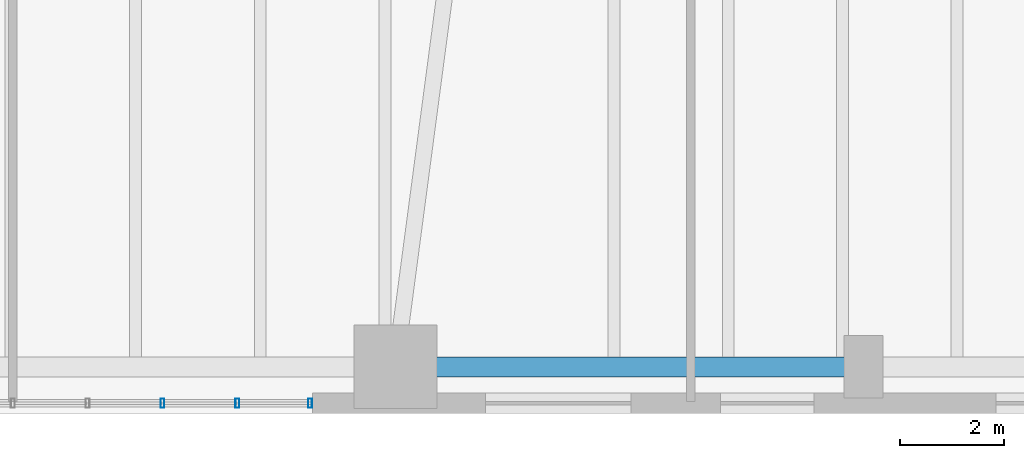
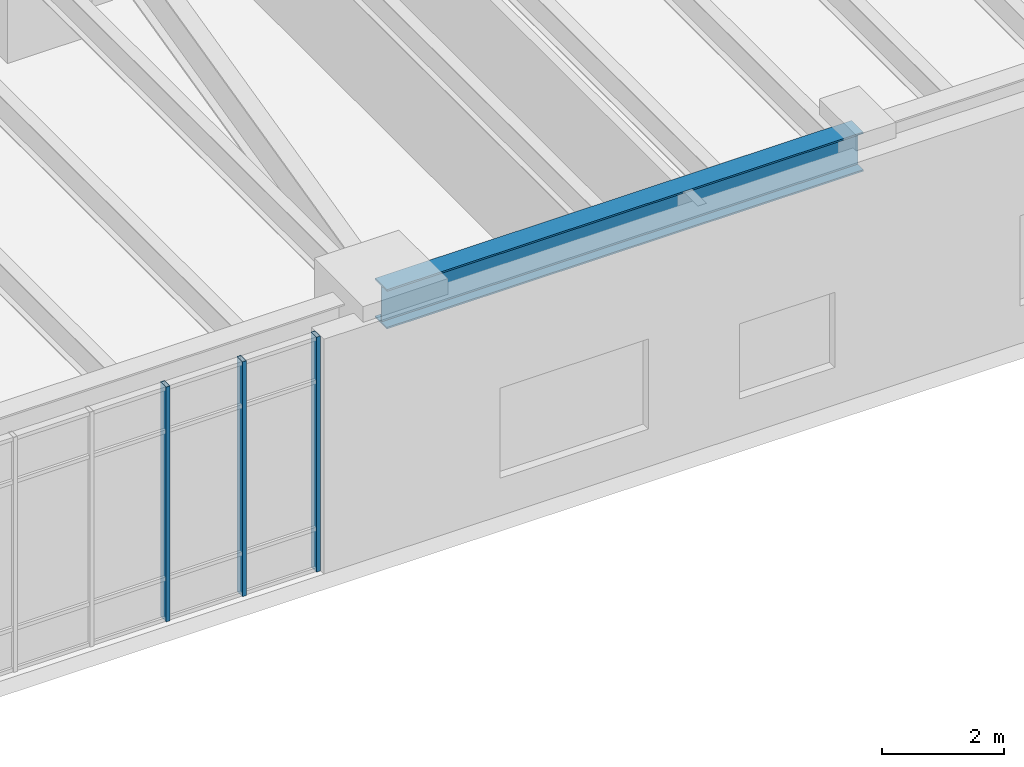
# One storey, part 8 of 26: 3 members, 1 beam, 1 element without a shape of its own.
"""IFC4 building model written with IfcOpenShell, lengths in metres."""

import ifcopenshell
import ifcopenshell.guid

model = None  # the IFC model being written
_history = None  # IfcOwnerHistory: only IFC2X3 demands one
_inside = {}  # id of a spatial element -> (the spatial element, [elements in it])
_under = {}  # id of a project, library or spatial element -> (it, [spatial elements below it])
_declared = {}  # id of a project -> (the project, [libraries it declares])
_typed = {}  # id of a type object -> (the type object, [elements of that type])
_made_of = {}  # id of a material, layer set ... -> (it, [elements and type objects made of it])


def new_model(schema):
    """Start an empty IFC model of exactly this schema.

    Asked for "IFC4X3", IfcOpenShell would pick the latest addendum, in which some entities
    have other attributes; the version numbers below select the first issue.
    IFC2X3 requires an IfcOwnerHistory on every rooted entity: one is made here for all.
    """
    global model, _history
    if schema == "IFC4X3":
        model = ifcopenshell.file(schema_version=(4, 3, 0, 0))
    else:
        model = ifcopenshell.file(schema=schema)
    _inside.clear()
    _under.clear()
    _declared.clear()
    _typed.clear()
    _made_of.clear()
    _history = None
    if model.schema == "IFC2X3":
        org = make("IfcOrganization", Name="unknown")
        user = make(
            "IfcPersonAndOrganization",
            ThePerson=make("IfcPerson", FamilyName="unknown"),
            TheOrganization=org,
        )
        app = make(
            "IfcApplication",
            ApplicationDeveloper=org,
            Version="unknown",
            ApplicationFullName="unknown",
            ApplicationIdentifier="unknown",
        )
        _history = make(
            "IfcOwnerHistory",
            OwningUser=user,
            OwningApplication=app,
            ChangeAction="ADDED",
            CreationDate=0,
        )
    return model


def make(cls, **values):
    """One entity of the class cls with the attributes given. An attribute that is None is left unset."""
    return model.create_entity(
        cls, **{name: value for name, value in values.items() if value is not None}
    )


def rooted(cls, **values):
    """An entity with a GlobalId (a new one), such as an element, a storey or a relation."""
    return make(cls, GlobalId=ifcopenshell.guid.new(), OwnerHistory=_history, **values)


def si_unit(unit_type, name, prefix=None):
    """IfcSIUnit, for example si_unit("LENGTHUNIT", "METRE", prefix="MILLI")."""
    return make("IfcSIUnit", UnitType=unit_type, Prefix=prefix, Name=name)


def assignment(units):
    """IfcUnitAssignment: the units of a project."""
    return None if units is None else make("IfcUnitAssignment", Units=units)


def point(xyz):
    """IfcCartesianPoint."""
    return None if xyz is None else make("IfcCartesianPoint", Coordinates=xyz)


def direction(xyz):
    """IfcDirection."""
    return None if xyz is None else make("IfcDirection", DirectionRatios=xyz)


def frame(location, z_axis=None, x_axis=None):
    """IfcAxis2Placement3D, a coordinate frame: its origin and axes. An axis left out is left unset."""
    return make(
        "IfcAxis2Placement3D",
        Location=point(location),
        Axis=direction(z_axis),
        RefDirection=direction(x_axis),
    )


def frame_2d(location, x_axis=None):
    """IfcAxis2Placement2D, a coordinate frame in the plane: its origin and x axis."""
    return make(
        "IfcAxis2Placement2D", Location=point(location), RefDirection=direction(x_axis)
    )


def origin():
    """The frame at (0, 0, 0) with its axes left unset."""
    return frame((0.0, 0.0, 0.0))


def origin_2d():
    """The frame at (0, 0) in the plane with its x axis left unset."""
    return frame_2d((0.0, 0.0))


def place(relative_to, where):
    """IfcLocalPlacement: puts the frame where relative to a parent placement (None: the world)."""
    return make(
        "IfcLocalPlacement", PlacementRelTo=relative_to, RelativePlacement=where
    )


def context(
    kind, dimensions, precision=None, world=None, true_north=None, identifier=None
):
    """IfcGeometricRepresentationContext, for example the 3D "Model" context."""
    return make(
        "IfcGeometricRepresentationContext",
        ContextIdentifier=identifier,
        ContextType=kind,
        CoordinateSpaceDimension=dimensions,
        Precision=precision,
        WorldCoordinateSystem=world,
        TrueNorth=true_north,
    )


def subcontext(parent, identifier, kind, view, scale=None):
    """IfcGeometricRepresentationSubContext, for example "Body" below "Model"."""
    return make(
        "IfcGeometricRepresentationSubContext",
        ContextIdentifier=identifier,
        ContextType=kind,
        ParentContext=parent,
        TargetScale=scale,
        TargetView=view,
    )


def project(units=None, contexts=None):
    """IfcProject with its units and contexts."""
    return rooted(
        "IfcProject",
        Name="project",
        RepresentationContexts=contexts,
        UnitsInContext=assignment(units),
    )


def spatial(cls, under=None, at=None, **own):
    """A site, building, storey or space (cls), placed at a placement, below another one or the project."""
    s = rooted(cls, ObjectPlacement=at, **own)
    if under is not None:
        _under.setdefault(under.id(), (under, []))[1].append(s)
    return s


def profile(cls, at=None, kind="AREA", **sizes):
    """A parametric profile (cls). Its sizes go by their IFC names, for example OverallWidth=200.0."""
    return make(cls, ProfileType=kind, Position=at, **sizes)


def hollow_rectangle(**sizes):
    """IfcRectangleHollowProfileDef."""
    return profile("IfcRectangleHollowProfileDef", **sizes)


def i_section(**sizes):
    """IfcIShapeProfileDef."""
    return profile("IfcIShapeProfileDef", **sizes)


def extrude(swept, where, along, depth):
    """IfcExtrudedAreaSolid: the profile swept, set in the frame where, extruded along a direction by depth."""
    return make(
        "IfcExtrudedAreaSolid",
        SweptArea=swept,
        Position=where,
        ExtrudedDirection=direction(along),
        Depth=depth,
    )


def shape(context_of_items, identifier, shape_type, items):
    """IfcShapeRepresentation: the items that make up one representation, for example the "Body"."""
    return make(
        "IfcShapeRepresentation",
        ContextOfItems=context_of_items,
        RepresentationIdentifier=identifier,
        RepresentationType=shape_type,
        Items=items,
    )


def material(Name=None, Category=None):
    """IfcMaterial."""
    return make("IfcMaterial", Name=Name, Category=Category)


def layer(
    of_material, thickness, ventilated=None, Name=None, Category=None, Priority=None
):
    """IfcMaterialLayer: one layer of a wall or slab, of a material (None: an air gap)."""
    return make(
        "IfcMaterialLayer",
        Material=of_material,
        LayerThickness=thickness,
        IsVentilated=ventilated,
        Name=Name,
        Category=Category,
        Priority=Priority,
    )


def layer_set(layers, Name=None):
    """IfcMaterialLayerSet."""
    return make("IfcMaterialLayerSet", MaterialLayers=layers, LayerSetName=Name)


def material_profile(
    of_material, cross_section, Name=None, Category=None, Priority=None
):
    """IfcMaterialProfile: a cross section and its material."""
    return make(
        "IfcMaterialProfile",
        Name=Name,
        Material=of_material,
        Profile=cross_section,
        Priority=Priority,
        Category=Category,
    )


def profile_set(profiles, Name=None, composite=None):
    """IfcMaterialProfileSet."""
    return make(
        "IfcMaterialProfileSet",
        Name=Name,
        MaterialProfiles=profiles,
        CompositeProfile=composite,
    )


def made_of(thing, what):
    """Note that an element or type object is made of a material, layer set ...; save() writes the relation."""
    if what is not None:
        _made_of.setdefault(what.id(), (what, []))[1].append(thing)
    return thing


def type_object(cls, material=None, **own):
    """A type object (cls), such as IfcWallType, which elements share."""
    return made_of(rooted(cls, **own), material)


def element(
    cls,
    number,
    at=None,
    inside=None,
    cuts=None,
    type_object=None,
    material=None,
    context=None,
    identifier="Body",
    shape_type=None,
    held_by="IfcProductDefinitionShape",
    body=None,
    shapes=None,
    **own,
):
    """One element of the class cls, such as IfcWall. Its Tag is "e" and its number.

    at: its placement. inside: the storey or other place that contains it. cuts: it is an
    opening in that element (IfcRelVoidsElement). A single representation is given by context,
    identifier, shape_type and body (its items); several are given by shapes. held_by: the class
    of the entity that holds the representations. save() writes the other relations.
    """
    e = rooted(cls, Tag="e%d" % number, ObjectPlacement=at, **own)
    if body is not None:
        shapes = [shape(context, identifier, shape_type, body)]
    if shapes is not None:
        e.Representation = make(held_by, Representations=shapes)
    if inside is not None:
        _inside.setdefault(inside.id(), (inside, []))[1].append(e)
    if cuts is not None:
        rooted(
            "IfcRelVoidsElement", RelatingBuildingElement=cuts, RelatedOpeningElement=e
        )
    if type_object is not None:
        _typed.setdefault(type_object.id(), (type_object, []))[1].append(e)
    return made_of(e, material)


def aggregate(whole, parts):
    """IfcRelAggregates: a whole, such as a stair, and the parts it consists of."""
    return rooted("IfcRelAggregates", RelatingObject=whole, RelatedObjects=parts)


def save(model, path):
    """Write the relations noted so far, then the file.

    IfcRelAggregates (storeys below a building ...), IfcRelContainedInSpatialStructure (elements
    in a storey), IfcRelDefinesByType, IfcRelAssociatesMaterial and IfcRelDeclares: one each for
    every whole, place, type object, material and project.
    """
    for whole, parts in _under.values():
        aggregate(whole, parts)
    for where, things in _inside.values():
        rooted(
            "IfcRelContainedInSpatialStructure",
            RelatedElements=things,
            RelatingStructure=where,
        )
    for kind, things in _typed.values():
        rooted("IfcRelDefinesByType", RelatedObjects=things, RelatingType=kind)
    for what, things in _made_of.values():
        rooted("IfcRelAssociatesMaterial", RelatedObjects=things, RelatingMaterial=what)
    for by, libraries in _declared.values():
        rooted("IfcRelDeclares", RelatingContext=by, RelatedDefinitions=libraries)
    model.write(path)


model = new_model("IFC4")

# Units and contexts
model_context = context("Model", 3, precision=1e-05, world=origin(), true_north=direction((0.0, 1.0)))
body_context = subcontext(model_context, "Body", "Model", "MODEL_VIEW")
ifc_project = project(units=[si_unit("LENGTHUNIT", "METRE"), si_unit("AREAUNIT", "SQUARE_METRE"), si_unit("VOLUMEUNIT", "CUBIC_METRE"), si_unit("PLANEANGLEUNIT", "RADIAN"), si_unit("MASSUNIT", "GRAM", prefix="KILO"), si_unit("THERMODYNAMICTEMPERATUREUNIT", "KELVIN"), si_unit("POWERUNIT", "WATT")], contexts=[model_context])

# Site, building, storey
site_placement = place(None, origin())
site = spatial("IfcSite", under=ifc_project, at=site_placement, CompositionType="ELEMENT")
building_placement = place(site_placement, origin())
building = spatial("IfcBuilding", under=site, at=building_placement, Name="Skarre Station Tower", CompositionType="ELEMENT")
storey_placement = place(building_placement, frame((0.0, 0.0, 6.0)))
storey = spatial("IfcBuildingStorey", under=building, at=storey_placement, Name="L02", CompositionType="ELEMENT", Elevation=6.0)

# Curtain wall, members
ifc_material_1 = material(Name="Thermally Broken Bronze-Anodized Aluminium & Triple Low-E Glass", Category="aluminium")
ifc_layer = layer(ifc_material_1, 0.199951171875, Name="Thermally Broken Bronze-Anodized Aluminium & Triple Low-E Glass")
ifc_layer_set = layer_set([ifc_layer], Name="Thermally Broken Bronze-Anodized Aluminium & Triple Low-E Glass")
curtain_wall_type = type_object("IfcCurtainWallType", Name="Podium Transit Arcade Stick Curtain Wall", PredefinedType="NOTDEFINED", material=ifc_layer_set)
curtain_wall_placement = place(storey_placement, origin())
curtain_wall = element("IfcCurtainWall", 1, at=curtain_wall_placement, inside=storey, type_object=curtain_wall_type, Name="L02 South Concourse Portal East Curtain Wall", PredefinedType="NOTDEFINED")
ifc_material_2 = material(Name="Anodized Aluminium 6063-T6", Category="aluminium")
ifc_material_profile_1 = material_profile(ifc_material_2, hollow_rectangle(XDim=0.074951171875, YDim=0.179931640625, WallThickness=0.00390625, at=origin_2d()), Name="Anodized Aluminium 6063-T6")
ifc_profile_set_1 = profile_set([ifc_material_profile_1], Name="Anodized Aluminium 6063-T6")
member_type = type_object("IfcMemberType", Name="Curtain-Wall Unitised Tower Mullion 180x75", PredefinedType="MULLION", material=ifc_profile_set_1)
member_1_placement = place(storey_placement, frame((52.360107421875, 0.199951171875, 0.0), z_axis=(0.0, 0.0, 1.0), x_axis=(-1.0, 0.0, 0.0)))
member_1 = element("IfcMember", 2, at=member_1_placement, type_object=member_type, Name="L02 South Concourse Portal East Curtain Wall Mullion 1", PredefinedType="MULLION", context=body_context, shape_type="SweptSolid", body=[
    extrude(hollow_rectangle(XDim=0.074951171875, YDim=0.179931640625, WallThickness=0.00390625, at=origin_2d()), origin(), (0.0, 0.0, 1.0), 4.68994140625),
])
member_2_placement = place(storey_placement, frame((50.9599609375, 0.199951171875, 0.0), z_axis=(0.0, 0.0, 1.0), x_axis=(-1.0, 0.0, 0.0)))
member_2 = element("IfcMember", 3, at=member_2_placement, type_object=member_type, Name="L02 South Concourse Portal East Curtain Wall Mullion 2", PredefinedType="MULLION", context=body_context, shape_type="SweptSolid", body=[
    extrude(hollow_rectangle(XDim=0.074951171875, YDim=0.179931640625, WallThickness=0.00390625, at=origin_2d()), origin(), (0.0, 0.0, 1.0), 4.68994140625),
])
member_3_placement = place(storey_placement, frame((49.52001953125, 0.199951171875, 0.0), z_axis=(0.0, 0.0, 1.0), x_axis=(-1.0, 0.0, 0.0)))
member_3 = element("IfcMember", 4, at=member_3_placement, type_object=member_type, Name="L02 South Concourse Portal East Curtain Wall Mullion 3", PredefinedType="MULLION", context=body_context, shape_type="SweptSolid", body=[
    extrude(hollow_rectangle(XDim=0.074951171875, YDim=0.179931640625, WallThickness=0.00390625, at=origin_2d()), origin(), (0.0, 0.0, 1.0), 4.68994140625),
])
aggregate(curtain_wall, [member_1, member_2, member_3])

# Beam
ifc_material_3 = material(Name="Steel ASTM A992 Grade 50", Category="steel")
ifc_material_profile_2 = material_profile(ifc_material_3, i_section(OverallWidth=0.384033203125, OverallDepth=0.785888671875, WebThickness=0.02001953125, FlangeThickness=0.032958984375, at=origin_2d()), Name="Steel ASTM A992 Grade 50")
ifc_profile_set_2 = profile_set([ifc_material_profile_2], Name="Steel ASTM A992 Grade 50")
beam_type = type_object("IfcBeamType", Name="Steel Spandrel W30X211", PredefinedType="SPANDREL", material=ifc_profile_set_2)
beam_placement = place(storey_placement, frame((54.0, 0.89990234375, 4.297119140625), z_axis=(1.0, 0.0, 0.0), x_axis=(0.0, 1.0, 0.0)))
element("IfcBeam", 5, at=beam_placement, inside=storey, type_object=beam_type, Name="L02 South Podium Spandrel 7", PredefinedType="SPANDREL", context=body_context, shape_type="SweptSolid", body=[
    extrude(i_section(OverallWidth=0.384033203125, OverallDepth=0.785888671875, WebThickness=0.02001953125, FlangeThickness=0.032958984375, at=origin_2d()), origin(), (0.0, 0.0, 1.0), 9.0),
])

save(model, "model.ifc")
